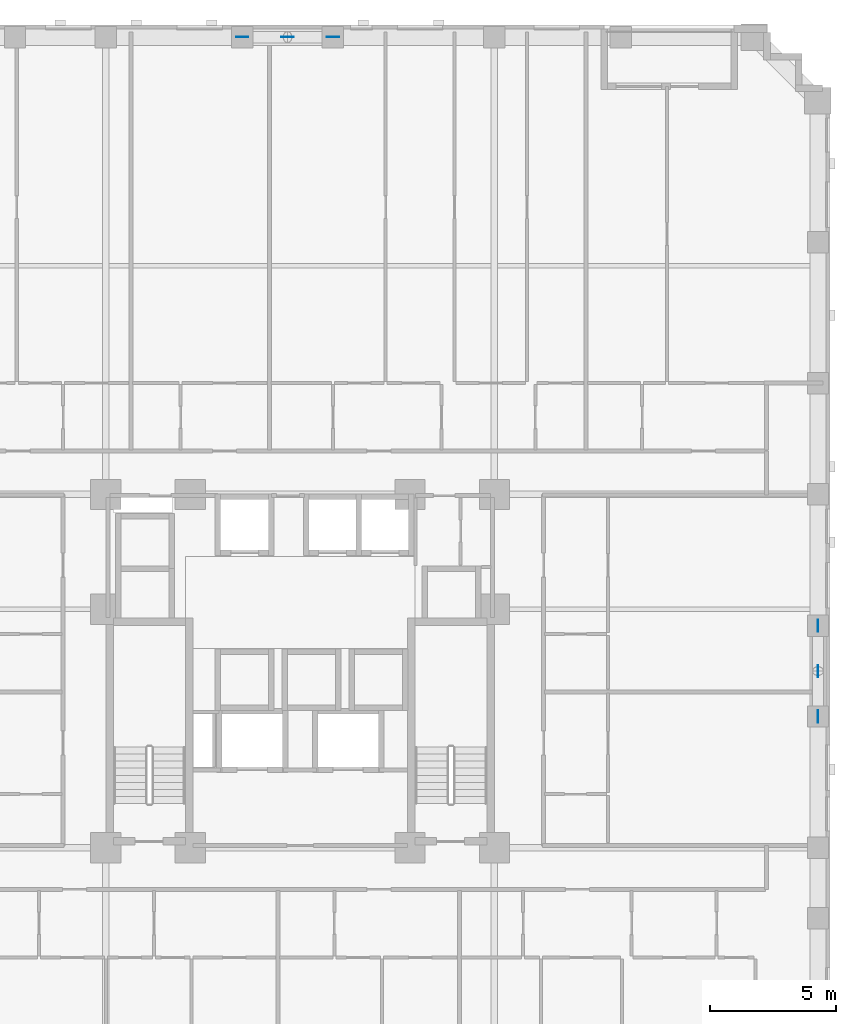
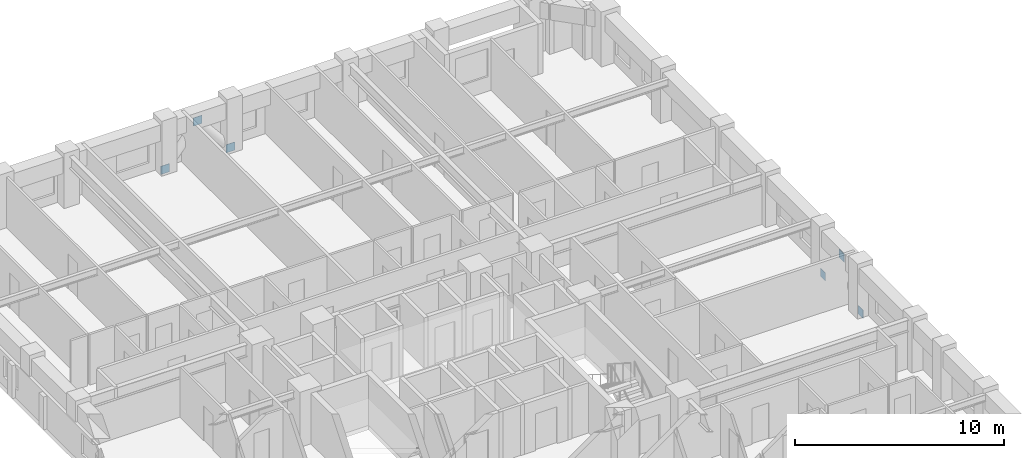
# One storey, part 11 of 14: 6 discrete accessories.
"""IFC4 building model written with IfcOpenShell, lengths in metres."""

from ifc_helpers import new_model, si_unit, derived_unit, direction, frame, origin, origin_2d, place, context, subcontext, project, spatial, rectangle, extrude, material, layer, layer_set, type_object, element, save


model = new_model("IFC4")

# Units and contexts
model_context = context("Model", 3, precision=1e-05, world=origin(), true_north=direction((0.0, 1.0)))
body_context = subcontext(model_context, "Body", "Model", "MODEL_VIEW")
ifc_project = project(units=[si_unit("LENGTHUNIT", "METRE"), si_unit("AREAUNIT", "SQUARE_METRE"), si_unit("VOLUMEUNIT", "CUBIC_METRE"), si_unit("PLANEANGLEUNIT", "RADIAN"), si_unit("MASSUNIT", "GRAM", prefix="KILO"), derived_unit("THERMALTRANSMITTANCEUNIT", [(si_unit("MASSUNIT", "GRAM", prefix="KILO"), 1), (si_unit("TIMEUNIT", "SECOND"), -3), (si_unit("THERMODYNAMICTEMPERATUREUNIT", "KELVIN"), -1)])], contexts=[model_context])

# Site, building, storey
site_placement = place(None, origin())
site = spatial("IfcSite", under=ifc_project, at=site_placement, CompositionType="ELEMENT")
building_placement = place(site_placement, origin())
building = spatial("IfcBuilding", under=site, at=building_placement, Name="Korrvale Station Residences", CompositionType="ELEMENT")
storey_placement = place(building_placement, frame((0.0, 0.0, 54.60009765625)))
storey = spatial("IfcBuildingStorey", under=building, at=storey_placement, Name="L14", CompositionType="ELEMENT", Elevation=54.60009765625)

# Discrete accessories
ifc_material = material(Name="Steel S355", Category="steel")
ifc_layer = layer(ifc_material, 0.02490234375, Name="Steel S355")
ifc_layer_set = layer_set([ifc_layer], Name="Steel S355")
discrete_accessory_type = type_object("IfcDiscreteAccessoryType", Name="ACC-GUSSET-25", PredefinedType="BRACKET", material=ifc_layer_set)
for number, where, z_axis, x_axis, name in (
    (1, (23.199951171875, 47.1201171875, -0.219970703125), (0.0, 0.0, 1.0), (1.0, 0.0, 0.0), "L14 N Brace End Gusset Connection A"),
    (2, (26.800048828125, 47.1201171875, -0.219970703125), (0.0, 0.0, 1.0), (1.0, 0.0, 0.0), "L14 N Brace End Gusset Connection B"),
    (3, (25.0, 47.1201171875, 1.969970703125), (0.0, 0.0, 1.0), (1.0, 0.0, 0.0), "L14 N Brace End Gusset Connection M"),
    (4, (46.02001953125, 20.199951171875, -0.219970703125), (0.0, 0.0, 1.0), (0.0, 1.0, 0.0), "L14 E Brace End Gusset Connection A"),
    (5, (46.02001953125, 23.800048828125, -0.219970703125), (0.0, 0.0, 1.0), (0.0, 1.0, 0.0), "L14 E Brace End Gusset Connection B"),
    (6, (46.02001953125, 22.0, 1.969970703125), (0.0, 0.0, 1.0), (0.0, 1.0, 0.0), "L14 E Brace End Gusset Connection M"),
):
    element("IfcDiscreteAccessory", number, at=place(storey_placement, frame(where, z_axis=z_axis, x_axis=x_axis)), inside=storey, type_object=discrete_accessory_type, Name=name, PredefinedType="BRACKET", context=body_context, shape_type="SweptSolid", body=[
        extrude(rectangle(XDim=0.47998046875, YDim=0.02490234375, at=origin_2d()), origin(), (0.0, 0.0, 1.0), 0.47998046875),
    ])

save(model, "model.ifc")
